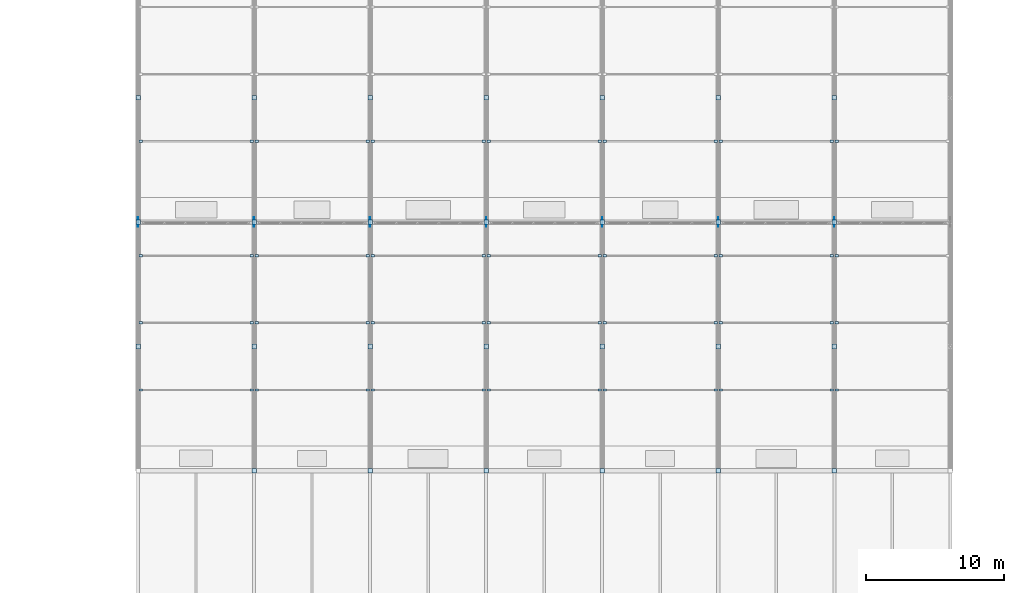
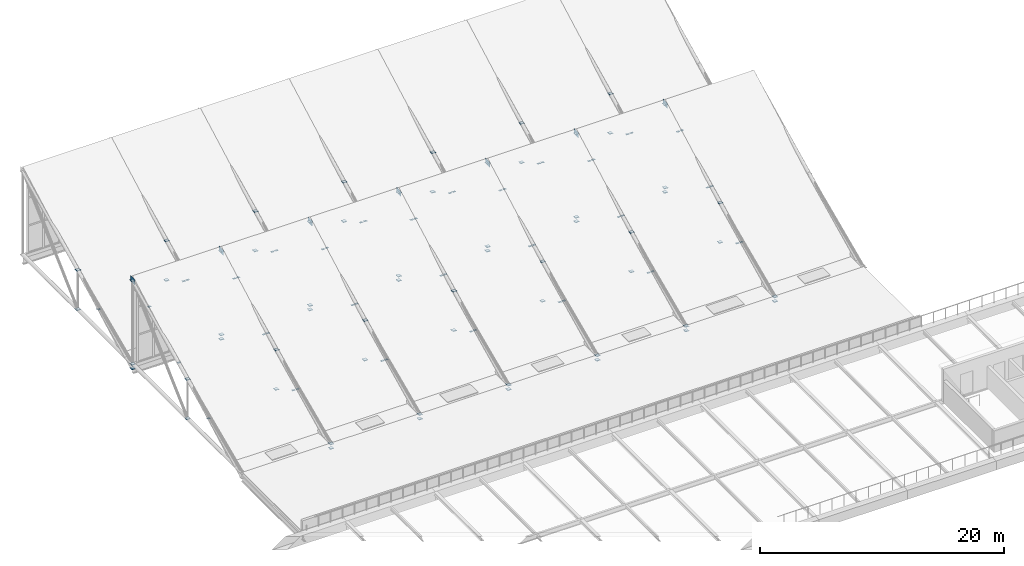
# One storey, part 34 of 38: 120 plates.
"""IFC4 building model written with IfcOpenShell, lengths in metres."""

import ifcopenshell
import ifcopenshell.guid

model = None  # the IFC model being written
_history = None  # IfcOwnerHistory: only IFC2X3 demands one
_inside = {}  # id of a spatial element -> (the spatial element, [elements in it])
_under = {}  # id of a project, library or spatial element -> (it, [spatial elements below it])
_declared = {}  # id of a project -> (the project, [libraries it declares])
_typed = {}  # id of a type object -> (the type object, [elements of that type])
_made_of = {}  # id of a material, layer set ... -> (it, [elements and type objects made of it])


def new_model(schema):
    """Start an empty IFC model of exactly this schema.

    Asked for "IFC4X3", IfcOpenShell would pick the latest addendum, in which some entities
    have other attributes; the version numbers below select the first issue.
    IFC2X3 requires an IfcOwnerHistory on every rooted entity: one is made here for all.
    """
    global model, _history
    if schema == "IFC4X3":
        model = ifcopenshell.file(schema_version=(4, 3, 0, 0))
    else:
        model = ifcopenshell.file(schema=schema)
    _inside.clear()
    _under.clear()
    _declared.clear()
    _typed.clear()
    _made_of.clear()
    _history = None
    if model.schema == "IFC2X3":
        org = make("IfcOrganization", Name="unknown")
        user = make(
            "IfcPersonAndOrganization",
            ThePerson=make("IfcPerson", FamilyName="unknown"),
            TheOrganization=org,
        )
        app = make(
            "IfcApplication",
            ApplicationDeveloper=org,
            Version="unknown",
            ApplicationFullName="unknown",
            ApplicationIdentifier="unknown",
        )
        _history = make(
            "IfcOwnerHistory",
            OwningUser=user,
            OwningApplication=app,
            ChangeAction="ADDED",
            CreationDate=0,
        )
    return model


def make(cls, **values):
    """One entity of the class cls with the attributes given. An attribute that is None is left unset."""
    return model.create_entity(
        cls, **{name: value for name, value in values.items() if value is not None}
    )


def rooted(cls, **values):
    """An entity with a GlobalId (a new one), such as an element, a storey or a relation."""
    return make(cls, GlobalId=ifcopenshell.guid.new(), OwnerHistory=_history, **values)


def si_unit(unit_type, name, prefix=None):
    """IfcSIUnit, for example si_unit("LENGTHUNIT", "METRE", prefix="MILLI")."""
    return make("IfcSIUnit", UnitType=unit_type, Prefix=prefix, Name=name)


def assignment(units):
    """IfcUnitAssignment: the units of a project."""
    return None if units is None else make("IfcUnitAssignment", Units=units)


def point(xyz):
    """IfcCartesianPoint."""
    return None if xyz is None else make("IfcCartesianPoint", Coordinates=xyz)


def direction(xyz):
    """IfcDirection."""
    return None if xyz is None else make("IfcDirection", DirectionRatios=xyz)


def frame(location, z_axis=None, x_axis=None):
    """IfcAxis2Placement3D, a coordinate frame: its origin and axes. An axis left out is left unset."""
    return make(
        "IfcAxis2Placement3D",
        Location=point(location),
        Axis=direction(z_axis),
        RefDirection=direction(x_axis),
    )


def frame_2d(location, x_axis=None):
    """IfcAxis2Placement2D, a coordinate frame in the plane: its origin and x axis."""
    return make(
        "IfcAxis2Placement2D", Location=point(location), RefDirection=direction(x_axis)
    )


def origin():
    """The frame at (0, 0, 0) with its axes left unset."""
    return frame((0.0, 0.0, 0.0))


def origin_2d():
    """The frame at (0, 0) in the plane with its x axis left unset."""
    return frame_2d((0.0, 0.0))


def place(relative_to, where):
    """IfcLocalPlacement: puts the frame where relative to a parent placement (None: the world)."""
    return make(
        "IfcLocalPlacement", PlacementRelTo=relative_to, RelativePlacement=where
    )


def context(
    kind, dimensions, precision=None, world=None, true_north=None, identifier=None
):
    """IfcGeometricRepresentationContext, for example the 3D "Model" context."""
    return make(
        "IfcGeometricRepresentationContext",
        ContextIdentifier=identifier,
        ContextType=kind,
        CoordinateSpaceDimension=dimensions,
        Precision=precision,
        WorldCoordinateSystem=world,
        TrueNorth=true_north,
    )


def subcontext(parent, identifier, kind, view, scale=None):
    """IfcGeometricRepresentationSubContext, for example "Body" below "Model"."""
    return make(
        "IfcGeometricRepresentationSubContext",
        ContextIdentifier=identifier,
        ContextType=kind,
        ParentContext=parent,
        TargetScale=scale,
        TargetView=view,
    )


def project(units=None, contexts=None):
    """IfcProject with its units and contexts."""
    return rooted(
        "IfcProject",
        Name="project",
        RepresentationContexts=contexts,
        UnitsInContext=assignment(units),
    )


def spatial(cls, under=None, at=None, **own):
    """A site, building, storey or space (cls), placed at a placement, below another one or the project."""
    s = rooted(cls, ObjectPlacement=at, **own)
    if under is not None:
        _under.setdefault(under.id(), (under, []))[1].append(s)
    return s


def profile(cls, at=None, kind="AREA", **sizes):
    """A parametric profile (cls). Its sizes go by their IFC names, for example OverallWidth=200.0."""
    return make(cls, ProfileType=kind, Position=at, **sizes)


def rectangle(**sizes):
    """IfcRectangleProfileDef."""
    return profile("IfcRectangleProfileDef", **sizes)


def extrude(swept, where, along, depth):
    """IfcExtrudedAreaSolid: the profile swept, set in the frame where, extruded along a direction by depth."""
    return make(
        "IfcExtrudedAreaSolid",
        SweptArea=swept,
        Position=where,
        ExtrudedDirection=direction(along),
        Depth=depth,
    )


def shape(context_of_items, identifier, shape_type, items):
    """IfcShapeRepresentation: the items that make up one representation, for example the "Body"."""
    return make(
        "IfcShapeRepresentation",
        ContextOfItems=context_of_items,
        RepresentationIdentifier=identifier,
        RepresentationType=shape_type,
        Items=items,
    )


def material(Name=None, Category=None):
    """IfcMaterial."""
    return make("IfcMaterial", Name=Name, Category=Category)


def layer(
    of_material, thickness, ventilated=None, Name=None, Category=None, Priority=None
):
    """IfcMaterialLayer: one layer of a wall or slab, of a material (None: an air gap)."""
    return make(
        "IfcMaterialLayer",
        Material=of_material,
        LayerThickness=thickness,
        IsVentilated=ventilated,
        Name=Name,
        Category=Category,
        Priority=Priority,
    )


def layer_set(layers, Name=None):
    """IfcMaterialLayerSet."""
    return make("IfcMaterialLayerSet", MaterialLayers=layers, LayerSetName=Name)


def made_of(thing, what):
    """Note that an element or type object is made of a material, layer set ...; save() writes the relation."""
    if what is not None:
        _made_of.setdefault(what.id(), (what, []))[1].append(thing)
    return thing


def type_object(cls, material=None, **own):
    """A type object (cls), such as IfcWallType, which elements share."""
    return made_of(rooted(cls, **own), material)


def element(
    cls,
    number,
    at=None,
    inside=None,
    cuts=None,
    type_object=None,
    material=None,
    context=None,
    identifier="Body",
    shape_type=None,
    held_by="IfcProductDefinitionShape",
    body=None,
    shapes=None,
    **own,
):
    """One element of the class cls, such as IfcWall. Its Tag is "e" and its number.

    at: its placement. inside: the storey or other place that contains it. cuts: it is an
    opening in that element (IfcRelVoidsElement). A single representation is given by context,
    identifier, shape_type and body (its items); several are given by shapes. held_by: the class
    of the entity that holds the representations. save() writes the other relations.
    """
    e = rooted(cls, Tag="e%d" % number, ObjectPlacement=at, **own)
    if body is not None:
        shapes = [shape(context, identifier, shape_type, body)]
    if shapes is not None:
        e.Representation = make(held_by, Representations=shapes)
    if inside is not None:
        _inside.setdefault(inside.id(), (inside, []))[1].append(e)
    if cuts is not None:
        rooted(
            "IfcRelVoidsElement", RelatingBuildingElement=cuts, RelatedOpeningElement=e
        )
    if type_object is not None:
        _typed.setdefault(type_object.id(), (type_object, []))[1].append(e)
    return made_of(e, material)


def aggregate(whole, parts):
    """IfcRelAggregates: a whole, such as a stair, and the parts it consists of."""
    return rooted("IfcRelAggregates", RelatingObject=whole, RelatedObjects=parts)


def save(model, path):
    """Write the relations noted so far, then the file.

    IfcRelAggregates (storeys below a building ...), IfcRelContainedInSpatialStructure (elements
    in a storey), IfcRelDefinesByType, IfcRelAssociatesMaterial and IfcRelDeclares: one each for
    every whole, place, type object, material and project.
    """
    for whole, parts in _under.values():
        aggregate(whole, parts)
    for where, things in _inside.values():
        rooted(
            "IfcRelContainedInSpatialStructure",
            RelatedElements=things,
            RelatingStructure=where,
        )
    for kind, things in _typed.values():
        rooted("IfcRelDefinesByType", RelatedObjects=things, RelatingType=kind)
    for what, things in _made_of.values():
        rooted("IfcRelAssociatesMaterial", RelatedObjects=things, RelatingMaterial=what)
    for by, libraries in _declared.values():
        rooted("IfcRelDeclares", RelatingContext=by, RelatedDefinitions=libraries)
    model.write(path)


model = new_model("IFC4")

# Units and contexts
model_context = context("Model", 3, precision=1e-05, world=origin(), true_north=direction((0.0, 1.0)))
body_context = subcontext(model_context, "Body", "Model", "MODEL_VIEW")
ifc_project = project(units=[si_unit("LENGTHUNIT", "METRE"), si_unit("AREAUNIT", "SQUARE_METRE"), si_unit("VOLUMEUNIT", "CUBIC_METRE"), si_unit("PLANEANGLEUNIT", "RADIAN"), si_unit("MASSUNIT", "GRAM", prefix="KILO")], contexts=[model_context])

# Site, building, storey
site_placement = place(None, origin())
site = spatial("IfcSite", under=ifc_project, at=site_placement, CompositionType="ELEMENT")
building_placement = place(site_placement, origin())
building = spatial("IfcBuilding", under=site, at=building_placement, Name="Veltarok Museum of Natural Sciences", CompositionType="ELEMENT")
storey_placement = place(building_placement, frame((0.0, 0.0, 31.199951171875)))
storey = spatial("IfcBuildingStorey", under=building, at=storey_placement, Name="RF", CompositionType="ELEMENT", Elevation=31.199951171875)

# Plates
ifc_material = material(Name="Steel S355J2", Category="steel")
ifc_layer_1 = layer(ifc_material, 0.01611328125)
ifc_layer_set_1 = layer_set([ifc_layer_1], Name="Steel S355J2")
plate_type_1 = type_object("IfcPlateType", Name="Hollow End Closure Plate 260x170x16", PredefinedType="USERDEFINED", material=ifc_layer_set_1)
for number, where, z_axis, x_axis, name in (
    (1, (40.18408203125, 41.85009765625, -3.95849609375), (0.0, 0.0, 1.0), (1.0, 0.0, 0.0), "End Cap Plate CP-180 296"),
    (2, (48.216064453125, 41.85009765625, -3.95849609375), (0.0, 0.0, 1.0), (1.0, 0.0, 0.0), "End Cap Plate CP-180 297"),
    (3, (40.18408203125, 46.7099609375, -1.318359375), (0.0, 0.0, 1.0), (1.0, 0.0, 0.0), "End Cap Plate CP-180 298"),
    (4, (48.216064453125, 46.7099609375, -1.318359375), (0.0, 0.0, 1.0), (1.0, 0.0, 0.0), "End Cap Plate CP-180 299"),
    (5, (40.18408203125, 51.570068359375, 1.321533203125), (0.0, 0.0, 1.0), (1.0, 0.0, 0.0), "End Cap Plate CP-180 300"),
    (6, (48.216064453125, 51.570068359375, 1.321533203125), (0.0, 0.0, 1.0), (1.0, 0.0, 0.0), "End Cap Plate CP-180 301"),
    (7, (40.18408203125, 59.85009765625, -3.95849609375), (0.0, 0.0, 1.0), (1.0, 0.0, 0.0), "End Cap Plate CP-180 302"),
    (8, (48.216064453125, 59.85009765625, -3.95849609375), (0.0, 0.0, 1.0), (1.0, 0.0, 0.0), "End Cap Plate CP-180 303"),
    (9, (48.583984375, 41.85009765625, -3.95849609375), (0.0, 0.0, 1.0), (1.0, 0.0, 0.0), "End Cap Plate CP-180 308"),
    (10, (56.615966796875, 41.85009765625, -3.95849609375), (0.0, 0.0, 1.0), (1.0, 0.0, 0.0), "End Cap Plate CP-180 309"),
    (11, (48.583984375, 46.7099609375, -1.318359375), (0.0, 0.0, 1.0), (1.0, 0.0, 0.0), "End Cap Plate CP-180 310"),
    (12, (56.615966796875, 46.7099609375, -1.318359375), (0.0, 0.0, 1.0), (1.0, 0.0, 0.0), "End Cap Plate CP-180 311"),
    (13, (48.583984375, 51.570068359375, 1.321533203125), (0.0, 0.0, 1.0), (1.0, 0.0, 0.0), "End Cap Plate CP-180 312"),
    (14, (56.615966796875, 51.570068359375, 1.321533203125), (0.0, 0.0, 1.0), (1.0, 0.0, 0.0), "End Cap Plate CP-180 313"),
    (15, (48.583984375, 59.85009765625, -3.95849609375), (0.0, 0.0, 1.0), (1.0, 0.0, 0.0), "End Cap Plate CP-180 314"),
    (16, (56.615966796875, 59.85009765625, -3.95849609375), (0.0, 0.0, 1.0), (1.0, 0.0, 0.0), "End Cap Plate CP-180 315"),
    (17, (56.98388671875, 41.85009765625, -3.95849609375), (0.0, 0.0, 1.0), (1.0, 0.0, 0.0), "End Cap Plate CP-180 320"),
    (18, (65.01611328125, 41.85009765625, -3.95849609375), (0.0, 0.0, 1.0), (1.0, 0.0, 0.0), "End Cap Plate CP-180 321"),
    (19, (56.98388671875, 46.7099609375, -1.318359375), (0.0, 0.0, 1.0), (1.0, 0.0, 0.0), "End Cap Plate CP-180 322"),
    (20, (65.01611328125, 46.7099609375, -1.318359375), (0.0, 0.0, 1.0), (1.0, 0.0, 0.0), "End Cap Plate CP-180 323"),
    (21, (56.98388671875, 51.570068359375, 1.321533203125), (0.0, 0.0, 1.0), (1.0, 0.0, 0.0), "End Cap Plate CP-180 324"),
    (22, (65.01611328125, 51.570068359375, 1.321533203125), (0.0, 0.0, 1.0), (1.0, 0.0, 0.0), "End Cap Plate CP-180 325"),
    (23, (56.98388671875, 59.85009765625, -3.95849609375), (0.0, 0.0, 1.0), (1.0, 0.0, 0.0), "End Cap Plate CP-180 326"),
    (24, (65.01611328125, 59.85009765625, -3.95849609375), (0.0, 0.0, 1.0), (1.0, 0.0, 0.0), "End Cap Plate CP-180 327"),
    (25, (65.384033203125, 41.85009765625, -3.95849609375), (0.0, 0.0, 1.0), (1.0, 0.0, 0.0), "End Cap Plate CP-180 332"),
    (26, (73.416015625, 41.85009765625, -3.95849609375), (0.0, 0.0, 1.0), (1.0, 0.0, 0.0), "End Cap Plate CP-180 333"),
    (27, (65.384033203125, 46.7099609375, -1.318359375), (0.0, 0.0, 1.0), (1.0, 0.0, 0.0), "End Cap Plate CP-180 334"),
    (28, (73.416015625, 46.7099609375, -1.318359375), (0.0, 0.0, 1.0), (1.0, 0.0, 0.0), "End Cap Plate CP-180 335"),
    (29, (65.384033203125, 51.570068359375, 1.321533203125), (0.0, 0.0, 1.0), (1.0, 0.0, 0.0), "End Cap Plate CP-180 336"),
    (30, (73.416015625, 51.570068359375, 1.321533203125), (0.0, 0.0, 1.0), (1.0, 0.0, 0.0), "End Cap Plate CP-180 337"),
    (31, (65.384033203125, 59.85009765625, -3.95849609375), (0.0, 0.0, 1.0), (1.0, 0.0, 0.0), "End Cap Plate CP-180 338"),
    (32, (73.416015625, 59.85009765625, -3.95849609375), (0.0, 0.0, 1.0), (1.0, 0.0, 0.0), "End Cap Plate CP-180 339"),
    (33, (73.783935546875, 41.85009765625, -3.95849609375), (0.0, 0.0, 1.0), (1.0, 0.0, 0.0), "End Cap Plate CP-180 344"),
    (34, (81.81591796875, 41.85009765625, -3.95849609375), (0.0, 0.0, 1.0), (1.0, 0.0, 0.0), "End Cap Plate CP-180 345"),
    (35, (73.783935546875, 46.7099609375, -1.318359375), (0.0, 0.0, 1.0), (1.0, 0.0, 0.0), "End Cap Plate CP-180 346"),
    (36, (81.81591796875, 46.7099609375, -1.318359375), (0.0, 0.0, 1.0), (1.0, 0.0, 0.0), "End Cap Plate CP-180 347"),
    (37, (73.783935546875, 51.570068359375, 1.321533203125), (0.0, 0.0, 1.0), (1.0, 0.0, 0.0), "End Cap Plate CP-180 348"),
    (38, (81.81591796875, 51.570068359375, 1.321533203125), (0.0, 0.0, 1.0), (1.0, 0.0, 0.0), "End Cap Plate CP-180 349"),
    (39, (73.783935546875, 59.85009765625, -3.95849609375), (0.0, 0.0, 1.0), (1.0, 0.0, 0.0), "End Cap Plate CP-180 350"),
    (40, (81.81591796875, 59.85009765625, -3.95849609375), (0.0, 0.0, 1.0), (1.0, 0.0, 0.0), "End Cap Plate CP-180 351"),
    (41, (82.18408203125, 41.85009765625, -3.95849609375), (0.0, 0.0, 1.0), (1.0, 0.0, 0.0), "End Cap Plate CP-180 356"),
    (42, (90.216064453125, 41.85009765625, -3.95849609375), (0.0, 0.0, 1.0), (1.0, 0.0, 0.0), "End Cap Plate CP-180 357"),
    (43, (82.18408203125, 46.7099609375, -1.318359375), (0.0, 0.0, 1.0), (1.0, 0.0, 0.0), "End Cap Plate CP-180 358"),
    (44, (90.216064453125, 46.7099609375, -1.318359375), (0.0, 0.0, 1.0), (1.0, 0.0, 0.0), "End Cap Plate CP-180 359"),
    (45, (82.18408203125, 51.570068359375, 1.321533203125), (0.0, 0.0, 1.0), (1.0, 0.0, 0.0), "End Cap Plate CP-180 360"),
    (46, (90.216064453125, 51.570068359375, 1.321533203125), (0.0, 0.0, 1.0), (1.0, 0.0, 0.0), "End Cap Plate CP-180 361"),
    (47, (82.18408203125, 59.85009765625, -3.95849609375), (0.0, 0.0, 1.0), (1.0, 0.0, 0.0), "End Cap Plate CP-180 362"),
    (48, (90.216064453125, 59.85009765625, -3.95849609375), (0.0, 0.0, 1.0), (1.0, 0.0, 0.0), "End Cap Plate CP-180 363"),
    (49, (90.583984375, 41.85009765625, -3.95849609375), (0.0, 0.0, 1.0), (1.0, 0.0, 0.0), "End Cap Plate CP-180 368"),
    (50, (90.583984375, 46.7099609375, -1.318359375), (0.0, 0.0, 1.0), (1.0, 0.0, 0.0), "End Cap Plate CP-180 370"),
    (51, (90.583984375, 51.570068359375, 1.321533203125), (0.0, 0.0, 1.0), (1.0, 0.0, 0.0), "End Cap Plate CP-180 372"),
    (52, (90.583984375, 59.85009765625, -3.95849609375), (0.0, 0.0, 1.0), (1.0, 0.0, 0.0), "End Cap Plate CP-180 374"),
):
    element("IfcPlate", number, at=place(storey_placement, frame(where, z_axis=z_axis, x_axis=x_axis)), inside=storey, type_object=plate_type_1, Name=name, ObjectType="END CAP PLATE", PredefinedType="USERDEFINED", context=body_context, shape_type="SweptSolid", body=[
        extrude(rectangle(XDim=0.260009765625, YDim=0.169921875, at=origin_2d()), origin(), (0.0, 0.0, 1.0), 0.01611328125),
    ])
ifc_layer_2 = layer(ifc_material, 0.02001953125)
ifc_layer_set_2 = layer_set([ifc_layer_2], Name="Steel S355J2")
plate_type_2 = type_object("IfcPlateType", Name="Hollow End Closure Plate D340x20", PredefinedType="USERDEFINED", material=ifc_layer_set_2)
for number, where, z_axis, x_axis, name in (
    (53, (40.0, 44.99609375, -5.81005859375), (0.0, 0.0, 1.0), (0.0, 1.0, 0.0), "End Cap Plate CP-324 209"),
    (54, (40.0, 53.99609375, -5.81005859375), (0.0, 0.0, 1.0), (0.0, 1.0, 0.0), "End Cap Plate CP-324 210"),
    (55, (40.0, 44.996337890625, -1.86181640625), (0.0, 0.0, 1.0), (0.0, 1.0, 0.0), "End Cap Plate CP-324 212"),
    (56, (40.0, 53.996337890625, 2.538330078125), (0.0, 0.0, 1.0), (0.0, 1.0, 0.0), "End Cap Plate CP-324 213"),
    (57, (40.0, 62.99609375, -5.81005859375), (0.0, 0.0, 1.0), (0.0, 1.0, 0.0), "End Cap Plate CP-324 214"),
    (58, (40.0, 54.003662109375, -6.25830078125), (0.0, 0.0, 1.0), (0.0, 1.0, 0.0), "End Cap Plate CP-324 216"),
    (59, (40.0, 62.996337890625, -1.86181640625), (0.0, 0.0, 1.0), (0.0, 1.0, 0.0), "End Cap Plate CP-324 217"),
    (60, (48.39990234375, 36.00390625, -5.81005859375), (0.0, 0.0, 1.0), (0.0, 1.0, 0.0), "End Cap Plate CP-324 219"),
    (61, (48.39990234375, 44.99609375, -5.81005859375), (0.0, 0.0, 1.0), (0.0, 1.0, 0.0), "End Cap Plate CP-324 220"),
    (62, (48.39990234375, 53.99609375, -5.81005859375), (0.0, 0.0, 1.0), (0.0, 1.0, 0.0), "End Cap Plate CP-324 221"),
    (63, (48.39990234375, 36.003662109375, -6.25830078125), (0.0, 0.0, 1.0), (0.0, 1.0, 0.0), "End Cap Plate CP-324 222"),
    (64, (48.39990234375, 44.996337890625, -1.86181640625), (0.0, 0.0, 1.0), (0.0, 1.0, 0.0), "End Cap Plate CP-324 223"),
    (65, (48.39990234375, 53.996337890625, 2.538330078125), (0.0, 0.0, 1.0), (0.0, 1.0, 0.0), "End Cap Plate CP-324 224"),
    (66, (48.39990234375, 62.99609375, -5.81005859375), (0.0, 0.0, 1.0), (0.0, 1.0, 0.0), "End Cap Plate CP-324 225"),
    (67, (48.39990234375, 54.003662109375, -6.25830078125), (0.0, 0.0, 1.0), (0.0, 1.0, 0.0), "End Cap Plate CP-324 227"),
    (68, (48.39990234375, 62.996337890625, -1.86181640625), (0.0, 0.0, 1.0), (0.0, 1.0, 0.0), "End Cap Plate CP-324 228"),
    (69, (56.800048828125, 36.00390625, -5.81005859375), (0.0, 0.0, 1.0), (0.0, 1.0, 0.0), "End Cap Plate CP-324 230"),
    (70, (56.800048828125, 44.99609375, -5.81005859375), (0.0, 0.0, 1.0), (0.0, 1.0, 0.0), "End Cap Plate CP-324 231"),
    (71, (56.800048828125, 53.99609375, -5.81005859375), (0.0, 0.0, 1.0), (0.0, 1.0, 0.0), "End Cap Plate CP-324 232"),
    (72, (56.800048828125, 36.003662109375, -6.25830078125), (0.0, 0.0, 1.0), (0.0, 1.0, 0.0), "End Cap Plate CP-324 233"),
    (73, (56.800048828125, 44.996337890625, -1.86181640625), (0.0, 0.0, 1.0), (0.0, 1.0, 0.0), "End Cap Plate CP-324 234"),
    (74, (56.800048828125, 53.996337890625, 2.538330078125), (0.0, 0.0, 1.0), (0.0, 1.0, 0.0), "End Cap Plate CP-324 235"),
    (75, (56.800048828125, 62.99609375, -5.81005859375), (0.0, 0.0, 1.0), (0.0, 1.0, 0.0), "End Cap Plate CP-324 236"),
    (76, (56.800048828125, 54.003662109375, -6.25830078125), (0.0, 0.0, 1.0), (0.0, 1.0, 0.0), "End Cap Plate CP-324 238"),
    (77, (56.800048828125, 62.996337890625, -1.86181640625), (0.0, 0.0, 1.0), (0.0, 1.0, 0.0), "End Cap Plate CP-324 239"),
    (78, (65.199951171875, 36.00390625, -5.81005859375), (0.0, 0.0, 1.0), (0.0, 1.0, 0.0), "End Cap Plate CP-324 241"),
    (79, (65.199951171875, 44.99609375, -5.81005859375), (0.0, 0.0, 1.0), (0.0, 1.0, 0.0), "End Cap Plate CP-324 242"),
    (80, (65.199951171875, 53.99609375, -5.81005859375), (0.0, 0.0, 1.0), (0.0, 1.0, 0.0), "End Cap Plate CP-324 243"),
    (81, (65.199951171875, 36.003662109375, -6.25830078125), (0.0, 0.0, 1.0), (0.0, 1.0, 0.0), "End Cap Plate CP-324 244"),
    (82, (65.199951171875, 44.996337890625, -1.86181640625), (0.0, 0.0, 1.0), (0.0, 1.0, 0.0), "End Cap Plate CP-324 245"),
    (83, (65.199951171875, 53.996337890625, 2.538330078125), (0.0, 0.0, 1.0), (0.0, 1.0, 0.0), "End Cap Plate CP-324 246"),
    (84, (65.199951171875, 62.99609375, -5.81005859375), (0.0, 0.0, 1.0), (0.0, 1.0, 0.0), "End Cap Plate CP-324 247"),
    (85, (65.199951171875, 54.003662109375, -6.25830078125), (0.0, 0.0, 1.0), (0.0, 1.0, 0.0), "End Cap Plate CP-324 249"),
    (86, (65.199951171875, 62.996337890625, -1.86181640625), (0.0, 0.0, 1.0), (0.0, 1.0, 0.0), "End Cap Plate CP-324 250"),
    (87, (73.60009765625, 36.00390625, -5.81005859375), (0.0, 0.0, 1.0), (0.0, 1.0, 0.0), "End Cap Plate CP-324 252"),
    (88, (73.60009765625, 44.99609375, -5.81005859375), (0.0, 0.0, 1.0), (0.0, 1.0, 0.0), "End Cap Plate CP-324 253"),
    (89, (73.60009765625, 53.99609375, -5.81005859375), (0.0, 0.0, 1.0), (0.0, 1.0, 0.0), "End Cap Plate CP-324 254"),
    (90, (73.60009765625, 36.003662109375, -6.25830078125), (0.0, 0.0, 1.0), (0.0, 1.0, 0.0), "End Cap Plate CP-324 255"),
    (91, (73.60009765625, 44.996337890625, -1.86181640625), (0.0, 0.0, 1.0), (0.0, 1.0, 0.0), "End Cap Plate CP-324 256"),
    (92, (73.60009765625, 53.996337890625, 2.538330078125), (0.0, 0.0, 1.0), (0.0, 1.0, 0.0), "End Cap Plate CP-324 257"),
    (93, (73.60009765625, 62.99609375, -5.81005859375), (0.0, 0.0, 1.0), (0.0, 1.0, 0.0), "End Cap Plate CP-324 258"),
    (94, (73.60009765625, 54.003662109375, -6.25830078125), (0.0, 0.0, 1.0), (0.0, 1.0, 0.0), "End Cap Plate CP-324 260"),
    (95, (73.60009765625, 62.996337890625, -1.86181640625), (0.0, 0.0, 1.0), (0.0, 1.0, 0.0), "End Cap Plate CP-324 261"),
    (96, (82.0, 36.00390625, -5.81005859375), (0.0, 0.0, 1.0), (0.0, 1.0, 0.0), "End Cap Plate CP-324 263"),
    (97, (82.0, 44.99609375, -5.81005859375), (0.0, 0.0, 1.0), (0.0, 1.0, 0.0), "End Cap Plate CP-324 264"),
    (98, (82.0, 53.99609375, -5.81005859375), (0.0, 0.0, 1.0), (0.0, 1.0, 0.0), "End Cap Plate CP-324 265"),
    (99, (82.0, 36.003662109375, -6.25830078125), (0.0, 0.0, 1.0), (0.0, 1.0, 0.0), "End Cap Plate CP-324 266"),
    (100, (82.0, 44.996337890625, -1.86181640625), (0.0, 0.0, 1.0), (0.0, 1.0, 0.0), "End Cap Plate CP-324 267"),
    (101, (82.0, 53.996337890625, 2.538330078125), (0.0, 0.0, 1.0), (0.0, 1.0, 0.0), "End Cap Plate CP-324 268"),
    (102, (82.0, 62.99609375, -5.81005859375), (0.0, 0.0, 1.0), (0.0, 1.0, 0.0), "End Cap Plate CP-324 269"),
    (103, (82.0, 54.003662109375, -6.25830078125), (0.0, 0.0, 1.0), (0.0, 1.0, 0.0), "End Cap Plate CP-324 271"),
    (104, (82.0, 62.996337890625, -1.86181640625), (0.0, 0.0, 1.0), (0.0, 1.0, 0.0), "End Cap Plate CP-324 272"),
    (105, (90.39990234375, 36.00390625, -5.81005859375), (0.0, 0.0, 1.0), (0.0, 1.0, 0.0), "End Cap Plate CP-324 274"),
    (106, (90.39990234375, 44.99609375, -5.81005859375), (0.0, 0.0, 1.0), (0.0, 1.0, 0.0), "End Cap Plate CP-324 275"),
    (107, (90.39990234375, 53.99609375, -5.81005859375), (0.0, 0.0, 1.0), (0.0, 1.0, 0.0), "End Cap Plate CP-324 276"),
    (108, (90.39990234375, 36.003662109375, -6.25830078125), (0.0, 0.0, 1.0), (0.0, 1.0, 0.0), "End Cap Plate CP-324 277"),
    (109, (90.39990234375, 44.996337890625, -1.86181640625), (0.0, 0.0, 1.0), (0.0, 1.0, 0.0), "End Cap Plate CP-324 278"),
    (110, (90.39990234375, 53.996337890625, 2.538330078125), (0.0, 0.0, 1.0), (0.0, 1.0, 0.0), "End Cap Plate CP-324 279"),
    (111, (90.39990234375, 62.99609375, -5.81005859375), (0.0, 0.0, 1.0), (0.0, 1.0, 0.0), "End Cap Plate CP-324 280"),
    (112, (90.39990234375, 54.003662109375, -6.25830078125), (0.0, 0.0, 1.0), (0.0, 1.0, 0.0), "End Cap Plate CP-324 282"),
    (113, (90.39990234375, 62.996337890625, -1.86181640625), (0.0, 0.0, 1.0), (0.0, 1.0, 0.0), "End Cap Plate CP-324 283"),
):
    element("IfcPlate", number, at=place(storey_placement, frame(where, z_axis=z_axis, x_axis=x_axis)), inside=storey, type_object=plate_type_2, Name=name, ObjectType="END CAP PLATE", PredefinedType="USERDEFINED", context=body_context, shape_type="SweptSolid", body=[
        extrude(rectangle(XDim=0.340087890625, YDim=0.340087890625, at=origin_2d()), origin(), (0.0, 0.0, 1.0), 0.02001953125),
    ])
ifc_layer_3 = layer(ifc_material, 0.02490234375)
ifc_layer_set_3 = layer_set([ifc_layer_3], Name="Steel S355J2")
plate_type_3 = type_object("IfcPlateType", Name="Sawtooth Truss Ridge Gusset Node Plate TN1", PredefinedType="USERDEFINED", material=ifc_layer_set_3)
for number, where, z_axis, x_axis, name in (
    (114, (40.0, 54.0, 2.2900390625), (0.0, 0.0, 1.0), (1.0, 0.0, 0.0), "Sawtooth Truss Ridge Node TN1 5 M1"),
    (115, (48.39990234375, 54.0, 2.2900390625), (0.0, 0.0, 1.0), (1.0, 0.0, 0.0), "Sawtooth Truss Ridge Node TN1 6 M1"),
    (116, (56.800048828125, 54.0, 2.2900390625), (0.0, 0.0, 1.0), (1.0, 0.0, 0.0), "Sawtooth Truss Ridge Node TN1 7 M1"),
    (117, (65.199951171875, 54.0, 2.2900390625), (0.0, 0.0, 1.0), (1.0, 0.0, 0.0), "Sawtooth Truss Ridge Node TN1 8 M1"),
    (118, (73.60009765625, 54.0, 2.2900390625), (0.0, 0.0, 1.0), (1.0, 0.0, 0.0), "Sawtooth Truss Ridge Node TN1 9 M1"),
    (119, (82.0, 54.0, 2.2900390625), (0.0, 0.0, 1.0), (1.0, 0.0, 0.0), "Sawtooth Truss Ridge Node TN1 10 M1"),
    (120, (90.39990234375, 54.0, 2.2900390625), (0.0, 0.0, 1.0), (1.0, 0.0, 0.0), "Sawtooth Truss Ridge Node TN1 11 M1"),
):
    element("IfcPlate", number, at=place(storey_placement, frame(where, z_axis=z_axis, x_axis=x_axis)), inside=storey, type_object=plate_type_3, Name=name, ObjectType="GUSSET PLATE", PredefinedType="USERDEFINED", context=body_context, shape_type="SweptSolid", body=[
        extrude(rectangle(XDim=0.02490234375, YDim=0.679931640625, at=origin_2d()), origin(), (0.0, 0.0, 1.0), 0.52001953125),
    ])

save(model, "model.ifc")
